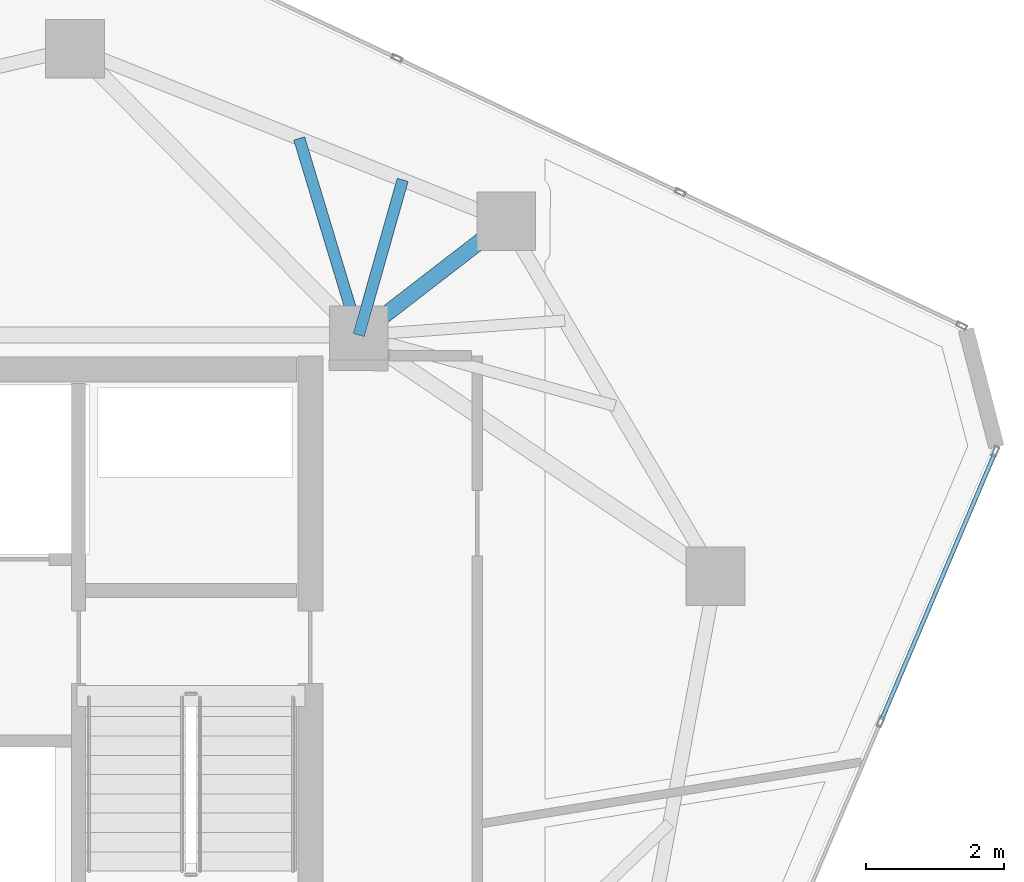
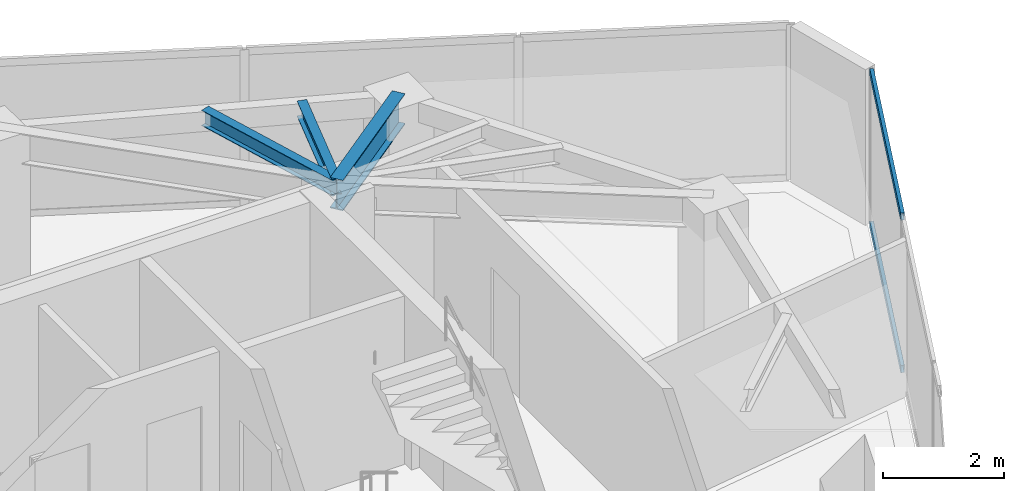
# One storey, part 13 of 20: 3 beams, 2 members, 1 element without a shape of its own.
"""IFC4 building model written with IfcOpenShell, lengths in metres."""

from ifc_helpers import new_model, si_unit, direction, frame, origin, origin_2d, place, context, subcontext, project, spatial, hollow_rectangle, i_section, extrude, source, transform, mapped, material, layer, layer_set, material_profile, profile_set, type_object, type_shapes, element, aggregate, save


model = new_model("IFC4")

# Units and contexts
model_context = context("Model", 3, precision=1e-05, world=origin(), true_north=direction((0.0, 1.0)))
body_context = subcontext(model_context, "Body", "Model", "MODEL_VIEW")
ifc_project = project(units=[si_unit("LENGTHUNIT", "METRE"), si_unit("AREAUNIT", "SQUARE_METRE"), si_unit("VOLUMEUNIT", "CUBIC_METRE"), si_unit("PLANEANGLEUNIT", "RADIAN"), si_unit("MASSUNIT", "GRAM", prefix="KILO")], contexts=[model_context])

# Site, building, storey
site_placement = place(None, origin())
site = spatial("IfcSite", under=ifc_project, at=site_placement, CompositionType="ELEMENT")
building_placement = place(site_placement, origin())
building = spatial("IfcBuilding", under=site, at=building_placement, Name="Talar Marvaseh", CompositionType="ELEMENT")
storey_placement = place(building_placement, frame((0.0, 0.0, 274.800048828125)))
storey = spatial("IfcBuildingStorey", under=building, at=storey_placement, Name="L73", CompositionType="ELEMENT", Elevation=274.800048828125)

# Beams
ifc_material_1 = material(Name="Steel S355", Category="steel")
ifc_material_profile_1 = material_profile(ifc_material_1, i_section(OverallWidth=0.166015625, OverallDepth=0.31298828125, WebThickness=0.006591796875, FlangeThickness=0.01123046875, at=origin_2d()), Name="W310x45")
ifc_profile_set_1 = profile_set([ifc_material_profile_1], Name="Steel S355")
beam_type_1 = type_object("IfcBeamType", Name="Zone 3 Secondary Floor Joist W310x45", PredefinedType="JOIST", material=ifc_profile_set_1)
beam_1_placement = place(storey_placement, frame((32.43798828125, 39.75146484375, 2.9833984375), z_axis=(0.289377277289, -0.957215122837, 0.0), x_axis=(0.957215122837, 0.289377277289, 0.0)))
element("IfcBeam", 1, at=beam_1_placement, inside=storey, type_object=beam_type_1, Name="L73 Zone 3 Secondary Floor Joist W310x45", PredefinedType="JOIST", context=body_context, shape_type="SweptSolid", body=[
    extrude(i_section(OverallWidth=0.166015625, OverallDepth=0.31298828125, WebThickness=0.006591796875, FlangeThickness=0.01123046875, at=origin_2d()), origin(), (0.0, 0.0, 1.0), 2.97900390625),
])
beam_2_placement = place(storey_placement, frame((33.93798828125, 39.151123046875, 2.9833984375), z_axis=(-0.272639596879, -0.962116235293, 0.0), x_axis=(0.962116235293, -0.272639596879, 0.0)))
element("IfcBeam", 2, at=beam_2_placement, inside=storey, type_object=beam_type_1, Name="L73 Zone 3 Secondary Floor Joist W310x45", PredefinedType="JOIST", context=body_context, shape_type="SweptSolid", body=[
    extrude(i_section(OverallWidth=0.166015625, OverallDepth=0.31298828125, WebThickness=0.006591796875, FlangeThickness=0.01123046875, at=origin_2d()), origin(), (0.0, 0.0, 1.0), 2.33984375),
])
ifc_material_profile_2 = material_profile(ifc_material_1, i_section(OverallWidth=0.22998046875, OverallDepth=0.616943359375, WebThickness=0.01318359375, FlangeThickness=0.022216796875, at=origin_2d()), Name="W610x140")
ifc_profile_set_2 = profile_set([ifc_material_profile_2], Name="Steel S355")
beam_type_2 = type_object("IfcBeamType", Name="Zone 4 Radial Floor Girder W610x140", PredefinedType="BEAM", material=ifc_profile_set_2)
beam_3_placement = place(storey_placement, frame((35.43798828125, 38.551025390625, 2.83154296875), z_axis=(-0.791449946636, -0.611233982996, 0.0), x_axis=(0.611233982996, -0.791449946636, 0.0)))
element("IfcBeam", 3, at=beam_3_placement, inside=storey, type_object=beam_type_2, Name="L73 Zone 4 Radial Floor Girder W610x140", PredefinedType="BEAM", context=body_context, shape_type="SweptSolid", body=[
    extrude(i_section(OverallWidth=0.22998046875, OverallDepth=0.616943359375, WebThickness=0.01318359375, FlangeThickness=0.022216796875, at=origin_2d()), origin(), (0.0, 0.0, 1.0), 2.701416015625),
])

# Curtain wall, members
ifc_material_2 = material(Name="Architectural Aluminium", Category="aluminium")
ifc_layer = layer(ifc_material_2, 0.179931640625)
ifc_layer_set = layer_set([ifc_layer], Name="Architectural Aluminium")
curtain_wall_type = type_object("IfcCurtainWallType", Name="Unitised High-Wind Sky Curtain Wall Z4", PredefinedType="NOTDEFINED", material=ifc_layer_set)
curtain_wall_placement = place(storey_placement, origin())
curtain_wall = element("IfcCurtainWall", 4, at=curtain_wall_placement, inside=storey, type_object=curtain_wall_type, Name="L73 Unitised High-Wind Sky Curtain Wall Z4", PredefinedType="NOTDEFINED")
ifc_material_profile_3 = material_profile(ifc_material_2, hollow_rectangle(XDim=0.06494140625, YDim=0.14990234375, WallThickness=0.00390625, at=origin_2d()), Name="RHS150x65x4")
ifc_profile_set_3 = profile_set([ifc_material_profile_3], Name="Architectural Aluminium")
member_type = type_object("IfcMemberType", Name="Unitised Curtain Wall Slim Transom RHS150x65x4", PredefinedType="USERDEFINED", material=ifc_profile_set_3)
shared_shape = source(origin(), body_context, "Body", "SweptSolid", [
    extrude(hollow_rectangle(XDim=0.06494140625, YDim=0.14990234375, WallThickness=0.00390625, at=origin_2d()), origin(), (0.0, 0.0, 1.0), 4.188720703125),
])
type_shapes(member_type, [shared_shape])
member_1_placement = place(storey_placement, frame((42.516357421875, 35.18212890625, 0.032470703125), z_axis=(-0.390864158847, -0.92044837407, 0.0), x_axis=(0.92044837407, -0.390864158847, 0.0)))
member_1 = element("IfcMember", 5, at=member_1_placement, type_object=member_type, Name="CW-Z4 transom 1.1", ObjectType="TRANSOM", PredefinedType="USERDEFINED", context=body_context, shape_type="MappedRepresentation", body=[
    mapped(shared_shape, transform((0.0, 0.0, 0.0), x_axis=(1.0, 0.0, 0.0), y_axis=(0.0, 1.0, 0.0), z_axis=(0.0, 0.0, 1.0), scale=1.0)),
])
member_2_placement = place(storey_placement, frame((42.516357421875, 35.18212890625, 3.107421875), z_axis=(-0.390864158847, -0.92044837407, 0.0), x_axis=(0.92044837407, -0.390864158847, 0.0)))
member_2 = element("IfcMember", 6, at=member_2_placement, type_object=member_type, Name="CW-Z4 transom 1.2", ObjectType="TRANSOM", PredefinedType="USERDEFINED", context=body_context, shape_type="MappedRepresentation", body=[
    mapped(shared_shape, transform((0.0, 0.0, 0.0), x_axis=(1.0, 0.0, 0.0), y_axis=(0.0, 1.0, 0.0), z_axis=(0.0, 0.0, 1.0), scale=1.0)),
])
aggregate(curtain_wall, [member_1, member_2])

save(model, "model.ifc")
